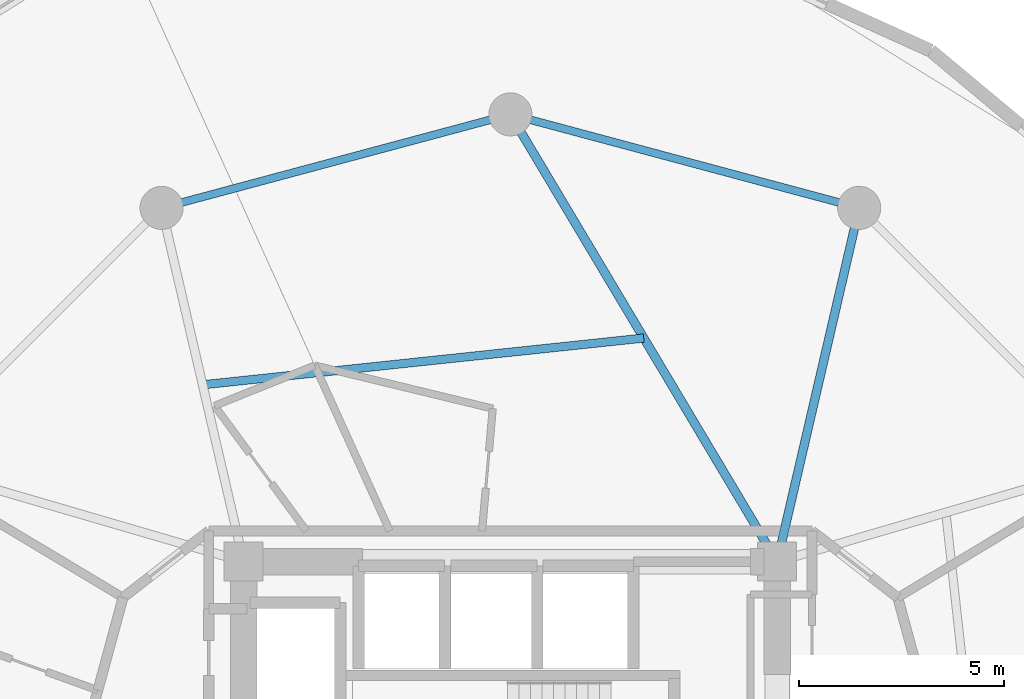
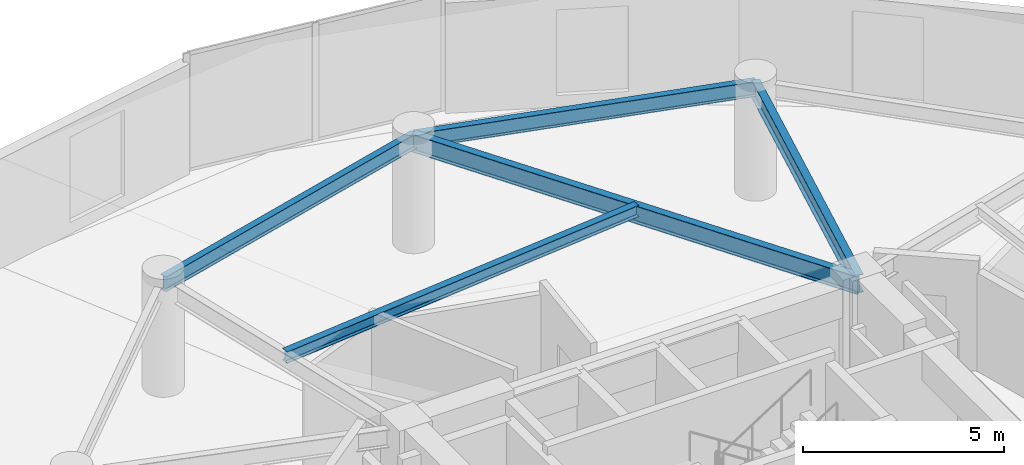
# One storey, part 14 of 22: 5 beams.
"""IFC4 building model written with IfcOpenShell, lengths in metres."""

from ifc_helpers import new_model, si_unit, direction, frame, origin, origin_2d, place, context, subcontext, project, spatial, i_section, extrude, material, material_profile, profile_set, type_object, element, save


model = new_model("IFC4")

# Units and contexts
model_context = context("Model", 3, precision=1e-05, world=origin(), true_north=direction((0.0, 1.0)))
body_context = subcontext(model_context, "Body", "Model", "MODEL_VIEW")
ifc_project = project(units=[si_unit("LENGTHUNIT", "METRE"), si_unit("AREAUNIT", "SQUARE_METRE"), si_unit("VOLUMEUNIT", "CUBIC_METRE"), si_unit("PLANEANGLEUNIT", "RADIAN"), si_unit("MASSUNIT", "GRAM", prefix="KILO")], contexts=[model_context])

# Site, building, storey
site_placement = place(None, origin())
site = spatial("IfcSite", under=ifc_project, at=site_placement, CompositionType="ELEMENT")
building_placement = place(site_placement, origin())
building = spatial("IfcBuilding", under=site, at=building_placement, Name="Solvirekh Grand Hotel", CompositionType="ELEMENT")
storey_placement = place(building_placement, frame((0.0, 0.0, 153.0)))
storey = spatial("IfcBuildingStorey", under=building, at=storey_placement, Name="L39", CompositionType="ELEMENT", Elevation=153.0)

# Beams
ifc_material = material(Name="Steel S355", Category="steel")
ifc_material_profile_1 = material_profile(ifc_material, i_section(OverallWidth=0.2119140625, OverallDepth=0.5439453125, WebThickness=0.011962890625, FlangeThickness=0.01904296875, FilletRadius=0.013916015625, at=origin_2d()), Name="W530X123")
ifc_profile_set_1 = profile_set([ifc_material_profile_1], Name="Steel S355")
beam_type_1 = type_object("IfcBeamType", Name="Beam_Radial_W530H", PredefinedType="BEAM", material=ifc_profile_set_1)
beam_1_placement = place(storey_placement, frame((6.5, 6.10009765625, 3.077880859375), z_axis=(0.225969390542, 0.974134402707, 0.0), x_axis=(-0.974134402707, 0.225969390542, 0.0)))
element("IfcBeam", 1, at=beam_1_placement, inside=storey, type_object=beam_type_1, Name="L39 radial floor beam R03", PredefinedType="BEAM", context=body_context, shape_type="SweptSolid", body=[
    extrude(i_section(OverallWidth=0.2119140625, OverallDepth=0.5439453125, WebThickness=0.011962890625, FlangeThickness=0.01904296875, FilletRadius=0.013916015625, at=origin_2d()), origin(), (0.0, 0.0, 1.0), 8.850830078125),
])
beam_2_placement = place(storey_placement, frame((6.5, 6.10009765625, 3.077880859375), z_axis=(-0.512179721377, 0.858878299301, 0.0), x_axis=(-0.858878299301, -0.512179721377, 0.0)))
element("IfcBeam", 2, at=beam_2_placement, inside=storey, type_object=beam_type_1, Name="L39 radial floor beam R04", PredefinedType="BEAM", context=body_context, shape_type="SweptSolid", body=[
    extrude(i_section(OverallWidth=0.2119140625, OverallDepth=0.5439453125, WebThickness=0.011962890625, FlangeThickness=0.01904296875, FilletRadius=0.013916015625, at=origin_2d()), origin(), (0.0, 0.0, 1.0), 12.69091796875),
])
ifc_material_profile_2 = material_profile(ifc_material, i_section(OverallWidth=0.2041015625, OverallDepth=0.35009765625, WebThickness=0.009033203125, FlangeThickness=0.014892578125, FilletRadius=0.010986328125, at=origin_2d()), Name="W360X72")
ifc_profile_set_2 = profile_set([ifc_material_profile_2], Name="Steel S355")
beam_type_2 = type_object("IfcBeamType", Name="Joist_Floor_W360", PredefinedType="JOIST", material=ifc_profile_set_2)
beam_3_placement = place(storey_placement, frame((3.25, 11.550048828125, 3.175048828125), z_axis=(-0.994432198761, -0.105378375714, 0.0), x_axis=(0.105378375714, -0.994432198761, 0.0)))
element("IfcBeam", 3, at=beam_3_placement, inside=storey, type_object=beam_type_2, Name="L39 secondary composite floor joist 4", PredefinedType="JOIST", context=body_context, shape_type="SweptSolid", body=[
    extrude(i_section(OverallWidth=0.2041015625, OverallDepth=0.35009765625, WebThickness=0.009033203125, FlangeThickness=0.014892578125, FilletRadius=0.010986328125, at=origin_2d()), origin(), (0.0, 0.0, 1.0), 10.810302734375),
])
ifc_material_profile_3 = material_profile(ifc_material, i_section(OverallWidth=0.18994140625, OverallDepth=0.45703125, WebThickness=0.009033203125, FlangeThickness=0.013916015625, FilletRadius=0.012939453125, at=origin_2d()), Name="W460X74")
ifc_profile_set_3 = profile_set([ifc_material_profile_3], Name="Steel S355")
beam_type_3 = type_object("IfcBeamType", Name="Spandrel_Ring_W460", PredefinedType="SPANDREL", material=ifc_profile_set_3)
for number, where, z_axis, x_axis, name in (
    (4, (8.5, 14.721923828125, 3.12109375), (-0.965911391906, 0.258872908946, 0.0), (-0.258872908946, -0.965911391906, 0.0), "L39 perimeter spandrel beam 3"),
    (5, (0.0, 17.0, 3.12109375), (-0.965911391906, -0.258872908946, 0.0), (0.258872908946, -0.965911391906, 0.0), "L39 perimeter spandrel beam 4"),
):
    element("IfcBeam", number, at=place(storey_placement, frame(where, z_axis=z_axis, x_axis=x_axis)), inside=storey, type_object=beam_type_3, Name=name, PredefinedType="SPANDREL", context=body_context, shape_type="SweptSolid", body=[
        extrude(i_section(OverallWidth=0.18994140625, OverallDepth=0.45703125, WebThickness=0.009033203125, FlangeThickness=0.013916015625, FilletRadius=0.012939453125, at=origin_2d()), origin(), (0.0, 0.0, 1.0), 8.800048828125),
    ])

save(model, "model.ifc")
